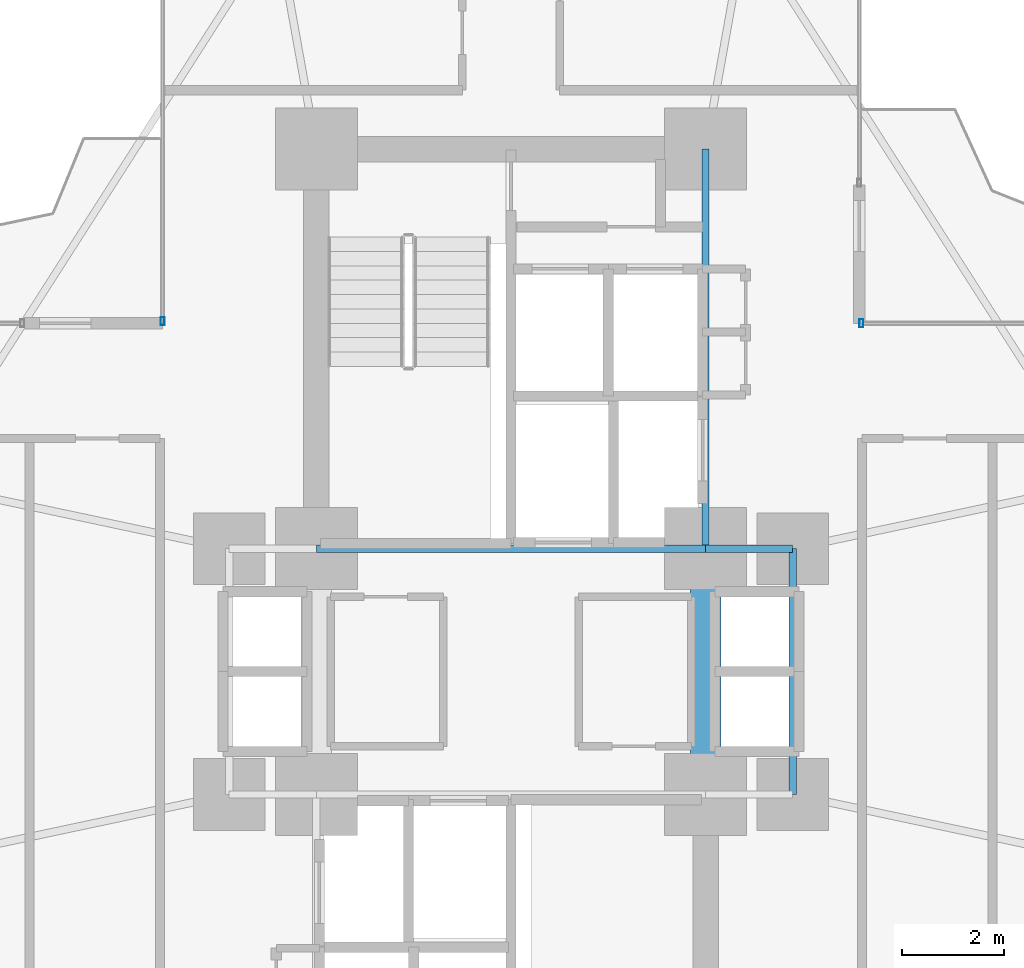
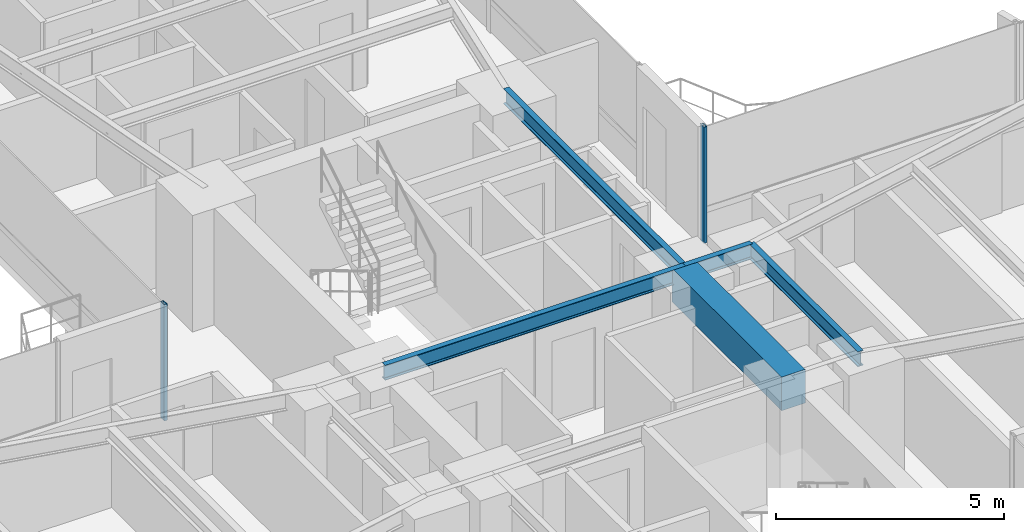
# One storey, part 12 of 26: 5 beams, 2 members, 2 elements without a shape of their own.
"""IFC4 building model written with IfcOpenShell, lengths in metres."""

from ifc_helpers import new_model, si_unit, direction, frame, origin, origin_2d, place, context, subcontext, project, spatial, rectangle, hollow_rectangle, i_section, extrude, source, transform, mapped, material, material_profile, profile_set, type_object, element, aggregate, save


model = new_model("IFC4")

# Units and contexts
model_context = context("Model", 3, precision=1e-05, world=origin(), true_north=direction((0.0, 1.0)))
body_context = subcontext(model_context, "Body", "Model", "MODEL_VIEW")
ifc_project = project(units=[si_unit("LENGTHUNIT", "METRE"), si_unit("AREAUNIT", "SQUARE_METRE"), si_unit("VOLUMEUNIT", "CUBIC_METRE"), si_unit("PLANEANGLEUNIT", "RADIAN"), si_unit("MASSUNIT", "GRAM", prefix="KILO")], contexts=[model_context])

# Site, building, storey
site_placement = place(None, origin())
site = spatial("IfcSite", under=ifc_project, at=site_placement, CompositionType="ELEMENT")
building_placement = place(site_placement, origin())
building = spatial("IfcBuilding", under=site, at=building_placement, Name="Sahyath Konkavel Grand Hotel", CompositionType="ELEMENT")
storey_placement = place(building_placement, frame((0.0, 0.0, 61.10009765625)))
storey = spatial("IfcBuildingStorey", under=building, at=storey_placement, Name="L16", CompositionType="ELEMENT", Elevation=61.10009765625)

# Beams
ifc_material_1 = material(Name="Concrete C70/85", Category="concrete")
ifc_material_profile_1 = material_profile(ifc_material_1, rectangle(XDim=0.60009765625, YDim=0.89990234375, at=origin_2d()), Name="RC 600x900")
ifc_profile_set_1 = profile_set([ifc_material_profile_1], Name="Concrete C70/85")
beam_type_1 = type_object("IfcBeamType", Name="BM-CB600x900", PredefinedType="LINTEL", material=ifc_profile_set_1)
shared_shape_1 = source(origin(), body_context, "Body", "SweptSolid", [
    extrude(rectangle(XDim=0.60009765625, YDim=0.89990234375, at=origin_2d()), origin(), (0.0, 0.0, 1.0), 4.7998046875),
])
beam_1_placement = place(storey_placement, frame((3.800048828125, -2.39990234375, 2.659912109375), z_axis=(0.0, 1.0, 0.0), x_axis=(-1.0, 0.0, 0.0)))
element("IfcBeam", 1, at=beam_1_placement, inside=storey, type_object=beam_type_1, Name="L16 Split-Core Coupling Beam East", PredefinedType="LINTEL", context=body_context, shape_type="MappedRepresentation", body=[
    mapped(shared_shape_1, transform((0.0, 0.0, 0.0), scale=1.0)),
])
ifc_material_2 = material(Name="Steel E350", Category="steel")
ifc_material_profile_2 = material_profile(ifc_material_2, i_section(OverallWidth=0.139892578125, OverallDepth=0.39990234375, WebThickness=0.0087890625, FlangeThickness=0.01611328125, FilletRadius=0.013916015625, at=origin_2d()), Name="ISMB 400")
ifc_profile_set_2 = profile_set([ifc_material_profile_2], Name="Steel E350")
beam_type_2 = type_object("IfcBeamType", Name="BM-ISMB400", PredefinedType="BEAM", material=ifc_profile_set_2)
shared_shape_2 = source(origin(), body_context, "Body", "SweptSolid", [
    extrude(i_section(OverallWidth=0.139892578125, OverallDepth=0.39990234375, WebThickness=0.0087890625, FlangeThickness=0.01611328125, FilletRadius=0.013916015625, at=origin_2d()), origin(), (0.0, 0.0, 1.0), 7.60009765625),
])
beam_2_placement = place(storey_placement, frame((-3.800048828125, 2.39990234375, 2.909912109375), z_axis=(1.0, 0.0, 0.0), x_axis=(0.0, 1.0, 0.0)))
element("IfcBeam", 2, at=beam_2_placement, inside=storey, type_object=beam_type_2, Name="str:bm:L16:NC-S", PredefinedType="BEAM", context=body_context, shape_type="MappedRepresentation", body=[
    mapped(shared_shape_2, transform((0.0, 0.0, 0.0), scale=1.0)),
])
shared_shape_3 = source(origin(), body_context, "Body", "SweptSolid", [
    extrude(i_section(OverallWidth=0.139892578125, OverallDepth=0.39990234375, WebThickness=0.0087890625, FlangeThickness=0.01611328125, FilletRadius=0.013916015625, at=origin_2d()), origin(), (0.0, 0.0, 1.0), 7.800048828125),
])
beam_3_placement = place(storey_placement, frame((3.800048828125, 2.39990234375, 2.909912109375), z_axis=(0.0, 1.0, 0.0), x_axis=(-1.0, 0.0, 0.0)))
element("IfcBeam", 3, at=beam_3_placement, inside=storey, type_object=beam_type_2, Name="str:bm:L16:NC-E", PredefinedType="BEAM", context=body_context, shape_type="MappedRepresentation", body=[
    mapped(shared_shape_3, transform((0.0, 0.0, 0.0), scale=1.0)),
])
shared_shape_4 = source(origin(), body_context, "Body", "SweptSolid", [
    extrude(i_section(OverallWidth=0.139892578125, OverallDepth=0.39990234375, WebThickness=0.0087890625, FlangeThickness=0.01611328125, FilletRadius=0.013916015625, at=origin_2d()), origin(), (0.0, 0.0, 1.0), 1.699951171875),
])
beam_4_placement = place(storey_placement, frame((3.800048828125, 2.39990234375, 2.909912109375), z_axis=(1.0, 0.0, 0.0), x_axis=(0.0, 1.0, 0.0)))
element("IfcBeam", 4, at=beam_4_placement, inside=storey, type_object=beam_type_2, Name="str:bm:L16:HB-NE", PredefinedType="BEAM", context=body_context, shape_type="MappedRepresentation", body=[
    mapped(shared_shape_4, transform((0.0, 0.0, 0.0), scale=1.0)),
])
shared_shape_5 = source(origin(), body_context, "Body", "SweptSolid", [
    extrude(i_section(OverallWidth=0.139892578125, OverallDepth=0.39990234375, WebThickness=0.0087890625, FlangeThickness=0.01611328125, FilletRadius=0.013916015625, at=origin_2d()), origin(), (0.0, 0.0, 1.0), 4.7998046875),
])
beam_5_placement = place(storey_placement, frame((5.5, -2.39990234375, 2.909912109375), z_axis=(0.0, 1.0, 0.0), x_axis=(-1.0, 0.0, 0.0)))
element("IfcBeam", 5, at=beam_5_placement, inside=storey, type_object=beam_type_2, Name="str:bm:L16:HB-E", PredefinedType="BEAM", context=body_context, shape_type="MappedRepresentation", body=[
    mapped(shared_shape_5, transform((0.0, 0.0, 0.0), scale=1.0)),
])

# Curtain wall, member
ifc_material_3 = material(Name="Anodised Bronze Aluminium & Low-E Glazing", Category="aluminium")
curtain_wall_type = type_object("IfcCurtainWallType", Name="CW-ZONE1", PredefinedType="NOTDEFINED", material=ifc_material_3)
curtain_wall_1_placement = place(storey_placement, origin())
curtain_wall_1 = element("IfcCurtainWall", 6, at=curtain_wall_1_placement, inside=storey, type_object=curtain_wall_type, Name="L16 Unitised Curtain Wall F7", PredefinedType="NOTDEFINED")
ifc_material_4 = material(Name="Anodised Bronze Aluminium", Category="aluminium")
ifc_material_profile_3 = material_profile(ifc_material_4, hollow_rectangle(XDim=0.080078125, YDim=0.159912109375, WallThickness=0.006103515625, at=origin_2d()), Name="RHS 160x80x6")
ifc_profile_set_3 = profile_set([ifc_material_profile_3], Name="Anodised Bronze Aluminium")
member_type = type_object("IfcMemberType", Name="CW-MUL-160", PredefinedType="MULLION", material=ifc_profile_set_3)
shared_shape_6 = source(origin(), body_context, "Body", "SweptSolid", [
    extrude(hollow_rectangle(XDim=0.080078125, YDim=0.159912109375, WallThickness=0.006103515625, at=origin_2d()), origin(), (0.0, 0.0, 1.0), 3.10986328125),
])
member_1_placement = place(storey_placement, frame((6.840087890625, 6.800048828125, 0.0), z_axis=(0.0, 0.0, 1.0), x_axis=(1.0, 0.0, 0.0)))
member_1 = element("IfcMember", 7, at=member_1_placement, type_object=member_type, Name="L16 Curtain Wall Mullion F7-2", PredefinedType="MULLION", context=body_context, shape_type="MappedRepresentation", body=[
    mapped(shared_shape_6, transform((0.0, 0.0, 0.0), scale=1.0)),
])
aggregate(curtain_wall_1, [member_1])

curtain_wall_2_placement = place(storey_placement, origin())
curtain_wall_2 = element("IfcCurtainWall", 8, at=curtain_wall_2_placement, inside=storey, type_object=curtain_wall_type, Name="L16 Unitised Curtain Wall F15", PredefinedType="NOTDEFINED")
member_2_placement = place(storey_placement, frame((-6.800048828125, 6.840087890625, 0.0), z_axis=(0.0, 0.0, 1.0), x_axis=(1.0, 0.0, 0.0)))
member_2 = element("IfcMember", 9, at=member_2_placement, type_object=member_type, Name="L16 Curtain Wall Mullion F15-2", PredefinedType="MULLION", context=body_context, shape_type="MappedRepresentation", body=[
    mapped(shared_shape_6, transform((0.0, 0.0, 0.0), scale=1.0)),
])
aggregate(curtain_wall_2, [member_2])

save(model, "model.ifc")
